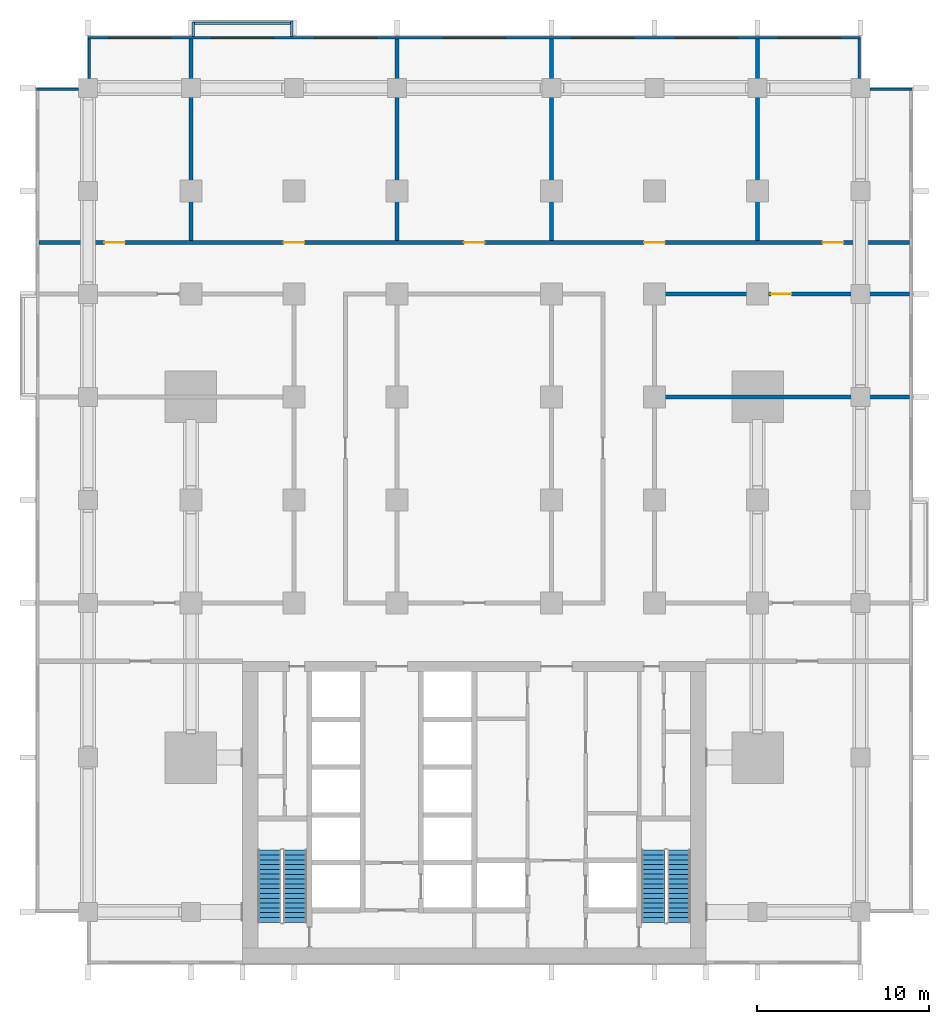
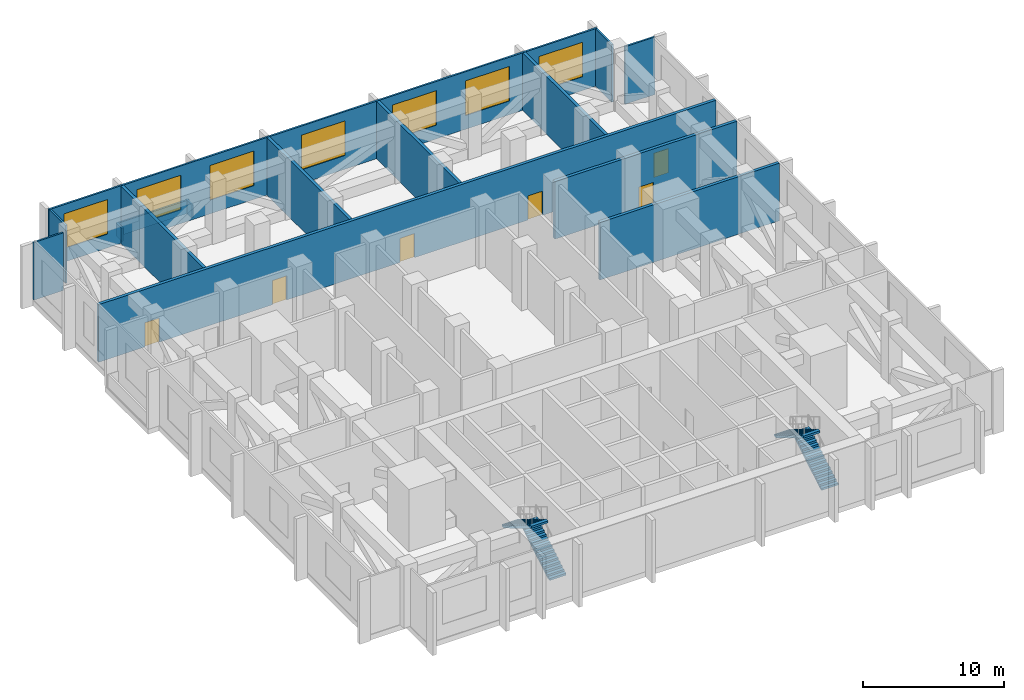
# One storey, part 5 of 13: 15 walls, 7 windows, 6 doors, 4 stair flights, 13 openings, 2 elements without a shape of their own.
"""IFC4 building model written with IfcOpenShell, lengths in metres."""

from ifc_helpers import new_model, si_unit, direction, frame, frame_2d, origin, place, context, subcontext, project, spatial, polyline, rectangle, outline, extrude, material, layer, layer_set, type_object, element, fill, aggregate, save


model = new_model("IFC4")

# Units and contexts
model_context = context("Model", 3, precision=1e-05, world=origin(), true_north=direction((0.0, 1.0)))
body_context = subcontext(model_context, "Body", "Model", "MODEL_VIEW")
ifc_project = project(units=[si_unit("LENGTHUNIT", "METRE"), si_unit("AREAUNIT", "SQUARE_METRE"), si_unit("VOLUMEUNIT", "CUBIC_METRE"), si_unit("PLANEANGLEUNIT", "RADIAN"), si_unit("MASSUNIT", "GRAM", prefix="KILO")], contexts=[model_context])

# Site, building, storey
site_placement = place(None, origin())
site = spatial("IfcSite", under=ifc_project, at=site_placement, CompositionType="ELEMENT")
building_placement = place(site_placement, origin())
building = spatial("IfcBuilding", under=site, at=building_placement, Name="Finial Court Residences", CompositionType="ELEMENT")
storey_placement = place(building_placement, frame((0.0, 0.0, 75.699951171875)))
storey = spatial("IfcBuildingStorey", under=building, at=storey_placement, Name="L18", CompositionType="ELEMENT", Elevation=75.699951171875)

# Walls
ifc_material_1 = material(Name="Concrete C35/45", Category="concrete")
ifc_layer_1 = layer(ifc_material_1, 0.14990234375)
ifc_layer_set_1 = layer_set([ifc_layer_1], Name="Ledge parapet, Concrete C35/45 150")
wall_type_1 = type_object("IfcWallType", Name="Ledge parapet, Concrete C35/45 150", PredefinedType="PARAPET", material=ifc_layer_set_1)
wall_1_placement = place(storey_placement, frame((-10.625, 29.39990234375, 0.0), z_axis=(0.0, 0.0, 1.0), x_axis=(0.0, -1.0, 0.0)))
element("IfcWall", 1, at=wall_1_placement, inside=storey, type_object=wall_type_1, Name="E-L18-LED3-P1", PredefinedType="PARAPET", context=body_context, shape_type="SweptSolid", body=[
    extrude(rectangle(XDim=0.889892578125, YDim=0.14990234375, at=frame_2d((0.44482421875, 0.0))), origin(), (0.0, 0.0, 1.0), 1.150146484375),
])
wall_2_placement = place(storey_placement, frame((-16.375, 28.510009765625, 0.0), z_axis=(0.0, 0.0, 1.0), x_axis=(0.0, 1.0, 0.0)))
element("IfcWall", 2, at=wall_2_placement, inside=storey, type_object=wall_type_1, Name="E-L18-LED3-P2", PredefinedType="PARAPET", context=body_context, shape_type="SweptSolid", body=[
    extrude(rectangle(XDim=0.840087890625, YDim=0.14990234375, at=frame_2d((0.419921875, 0.0))), origin(), (0.0, 0.0, 1.0), 1.150146484375),
])
wall_3_placement = place(storey_placement, frame((-16.300048828125, 29.27490234375, 0.0), z_axis=(0.0, 0.0, 1.0), x_axis=(1.0, 0.0, 0.0)))
element("IfcWall", 3, at=wall_3_placement, inside=storey, type_object=wall_type_1, Name="E-L18-LED3-P3", PredefinedType="PARAPET", context=body_context, shape_type="SweptSolid", body=[
    extrude(rectangle(XDim=5.800048828125, YDim=0.14990234375, at=frame_2d((2.89990234375, 0.0))), origin(), (0.0, 0.0, 1.0), 1.150146484375),
])
ifc_material_2 = material(Name="Fire-rated board")
ifc_layer_2 = layer(ifc_material_2, 0.050048828125)
ifc_material_3 = material(Name="Mineral wool in double frame")
ifc_layer_3 = layer(ifc_material_3, 0.14990234375)
ifc_layer_4 = layer(ifc_material_2, 0.050048828125)
ifc_layer_set_2 = layer_set([ifc_layer_2, ifc_layer_3, ifc_layer_4], Name="Plant room wall 250, 2 hour")
wall_type_2 = type_object("IfcWallType", Name="Plant room wall 250, 2 hour", PredefinedType="PARTITIONING", material=ifc_layer_set_2)
wall_4_placement = place(storey_placement, frame((10.625, 7.5, 0.0), z_axis=(0.0, 0.0, 1.0), x_axis=(1.0, 0.0, 0.0)))
element("IfcWall", 4, at=wall_4_placement, inside=storey, type_object=wall_type_2, Name="Partition L18-006", PredefinedType="PARTITIONING", context=body_context, shape_type="SweptSolid", body=[
    extrude(rectangle(XDim=14.72509765625, YDim=0.25, at=frame_2d((7.362548828125, 0.0))), origin(), (0.0, 0.0, 1.0), 5.0),
])

# Wall, opening, door
wall_5_placement = place(storey_placement, frame((10.375, 13.5, 0.0), z_axis=(0.0, 0.0, 1.0), x_axis=(1.0, 0.0, 0.0)))
wall_5 = element("IfcWall", 5, at=wall_5_placement, inside=storey, type_object=wall_type_2, Name="Partition L18-009", PredefinedType="PARTITIONING", context=body_context, shape_type="SweptSolid", body=[
    extrude(rectangle(XDim=14.97509765625, YDim=0.25, at=frame_2d((7.487548828125, 0.0))), origin(), (0.0, 0.0, 1.0), 5.0),
])
opening_1_placement = place(wall_5_placement, frame((6.89990234375, 0.0, 0.0)))
opening_1 = element("IfcOpeningElement", 6, at=opening_1_placement, cuts=wall_5, Name="Opening L18-D007", PredefinedType="OPENING", context=body_context, shape_type="SweptSolid", body=[
    extrude(rectangle(XDim=1.199951171875, YDim=2.10009765625, at=frame_2d((0.60009765625, 1.050048828125))), frame((0.0, 0.135009765625, 0.0), z_axis=(0.0, -1.0, 0.0), x_axis=(1.0, 0.0, 0.0)), (0.0, 0.0, 1.0), 0.27001953125),
])
ifc_material_4 = material(Name="Timber door leaf in hollow metal frame", Category="wood")
door_type = type_object("IfcDoorType", Name="Fire door set 1200 x 2100, 60 minutes", OperationType="SINGLE_SWING_LEFT", PredefinedType="DOOR", material=ifc_material_4)
door_1_placement = place(opening_1_placement, origin())
door_1 = element("IfcDoor", 7, at=door_1_placement, inside=storey, type_object=door_type, Name="Door L18-D007", OperationType="SINGLE_SWING_LEFT", OverallHeight=2.10009765625, OverallWidth=1.199951171875, PredefinedType="DOOR", context=body_context, shape_type="SweptSolid", body=[
    extrude(rectangle(XDim=1.199951171875, YDim=2.10009765625, at=frame_2d((0.60009765625, 1.050048828125))), frame((0.0, 0.02490234375, 0.0), z_axis=(0.0, -1.0, 0.0), x_axis=(1.0, 0.0, 0.0)), (0.0, 0.0, 1.0), 0.050048828125),
])
fill(opening_1, door_1)

# Wall, openings, doors
wall_6_placement = place(storey_placement, frame((-25.35009765625, 16.5, 0.0), z_axis=(0.0, 0.0, 1.0), x_axis=(1.0, 0.0, 0.0)))
wall_6 = element("IfcWall", 8, at=wall_6_placement, inside=storey, type_object=wall_type_2, Name="Partition L18-010", PredefinedType="PARTITIONING", context=body_context, shape_type="SweptSolid", body=[
    extrude(rectangle(XDim=50.7001953125, YDim=0.25, at=frame_2d((25.35009765625, 0.0))), origin(), (0.0, 0.0, 1.0), 5.0),
])
opening_2_placement = place(wall_6_placement, frame((3.800048828125, 0.0, 0.0)))
opening_2 = element("IfcOpeningElement", 9, at=opening_2_placement, cuts=wall_6, Name="Opening L18-D008", PredefinedType="OPENING", context=body_context, shape_type="SweptSolid", body=[
    extrude(rectangle(XDim=1.199951171875, YDim=2.10009765625, at=frame_2d((0.60009765625, 1.050048828125))), frame((0.0, 0.135009765625, 0.0), z_axis=(0.0, -1.0, 0.0), x_axis=(1.0, 0.0, 0.0)), (0.0, 0.0, 1.0), 0.27001953125),
])
opening_3_placement = place(wall_6_placement, frame((14.25, 0.0, 0.0)))
opening_3 = element("IfcOpeningElement", 10, at=opening_3_placement, cuts=wall_6, Name="Opening L18-D009", PredefinedType="OPENING", context=body_context, shape_type="SweptSolid", body=[
    extrude(rectangle(XDim=1.199951171875, YDim=2.10009765625, at=frame_2d((0.60009765625, 1.050048828125))), frame((0.0, 0.135009765625, 0.0), z_axis=(0.0, -1.0, 0.0), x_axis=(1.0, 0.0, 0.0)), (0.0, 0.0, 1.0), 0.27001953125),
])
opening_4_placement = place(wall_6_placement, frame((24.75, 0.0, 0.0)))
opening_4 = element("IfcOpeningElement", 11, at=opening_4_placement, cuts=wall_6, Name="Opening L18-D010", PredefinedType="OPENING", context=body_context, shape_type="SweptSolid", body=[
    extrude(rectangle(XDim=1.199951171875, YDim=2.10009765625, at=frame_2d((0.60009765625, 1.050048828125))), frame((0.0, 0.135009765625, 0.0), z_axis=(0.0, -1.0, 0.0), x_axis=(1.0, 0.0, 0.0)), (0.0, 0.0, 1.0), 0.27001953125),
])
opening_5_placement = place(wall_6_placement, frame((35.25, 0.0, 0.0)))
opening_5 = element("IfcOpeningElement", 12, at=opening_5_placement, cuts=wall_6, Name="Opening L18-D011", PredefinedType="OPENING", context=body_context, shape_type="SweptSolid", body=[
    extrude(rectangle(XDim=1.199951171875, YDim=2.10009765625, at=frame_2d((0.60009765625, 1.050048828125))), frame((0.0, 0.135009765625, 0.0), z_axis=(0.0, -1.0, 0.0), x_axis=(1.0, 0.0, 0.0)), (0.0, 0.0, 1.0), 0.27001953125),
])
opening_6_placement = place(wall_6_placement, frame((45.64990234375, 0.0, 0.0)))
opening_6 = element("IfcOpeningElement", 13, at=opening_6_placement, cuts=wall_6, Name="Opening L18-D012", PredefinedType="OPENING", context=body_context, shape_type="SweptSolid", body=[
    extrude(rectangle(XDim=1.199951171875, YDim=2.10009765625, at=frame_2d((0.60009765625, 1.050048828125))), frame((0.0, 0.135009765625, 0.0), z_axis=(0.0, -1.0, 0.0), x_axis=(1.0, 0.0, 0.0)), (0.0, 0.0, 1.0), 0.27001953125),
])
door_2_placement = place(opening_2_placement, origin())
door_2 = element("IfcDoor", 14, at=door_2_placement, inside=storey, type_object=door_type, Name="Door L18-D008", OperationType="SINGLE_SWING_LEFT", OverallHeight=2.10009765625, OverallWidth=1.199951171875, PredefinedType="DOOR", context=body_context, shape_type="SweptSolid", body=[
    extrude(rectangle(XDim=1.199951171875, YDim=2.10009765625, at=frame_2d((0.60009765625, 1.050048828125))), frame((0.0, 0.02490234375, 0.0), z_axis=(0.0, -1.0, 0.0), x_axis=(1.0, 0.0, 0.0)), (0.0, 0.0, 1.0), 0.050048828125),
])
fill(opening_2, door_2)
door_3_placement = place(opening_3_placement, origin())
door_3 = element("IfcDoor", 15, at=door_3_placement, inside=storey, type_object=door_type, Name="Door L18-D009", OperationType="SINGLE_SWING_RIGHT", OverallHeight=2.10009765625, OverallWidth=1.199951171875, PredefinedType="DOOR", context=body_context, shape_type="SweptSolid", body=[
    extrude(rectangle(XDim=1.199951171875, YDim=2.10009765625, at=frame_2d((0.60009765625, 1.050048828125))), frame((0.0, 0.02490234375, 0.0), z_axis=(0.0, -1.0, 0.0), x_axis=(1.0, 0.0, 0.0)), (0.0, 0.0, 1.0), 0.050048828125),
])
fill(opening_3, door_3)
door_4_placement = place(opening_4_placement, origin())
door_4 = element("IfcDoor", 16, at=door_4_placement, inside=storey, type_object=door_type, Name="Door L18-D010", OperationType="SINGLE_SWING_LEFT", OverallHeight=2.10009765625, OverallWidth=1.199951171875, PredefinedType="DOOR", context=body_context, shape_type="SweptSolid", body=[
    extrude(rectangle(XDim=1.199951171875, YDim=2.10009765625, at=frame_2d((0.60009765625, 1.050048828125))), frame((0.0, 0.02490234375, 0.0), z_axis=(0.0, -1.0, 0.0), x_axis=(1.0, 0.0, 0.0)), (0.0, 0.0, 1.0), 0.050048828125),
])
fill(opening_4, door_4)
door_5_placement = place(opening_5_placement, origin())
door_5 = element("IfcDoor", 17, at=door_5_placement, inside=storey, type_object=door_type, Name="Door L18-D011", OperationType="SINGLE_SWING_LEFT", OverallHeight=2.10009765625, OverallWidth=1.199951171875, PredefinedType="DOOR", context=body_context, shape_type="SweptSolid", body=[
    extrude(rectangle(XDim=1.199951171875, YDim=2.10009765625, at=frame_2d((0.60009765625, 1.050048828125))), frame((0.0, 0.02490234375, 0.0), z_axis=(0.0, -1.0, 0.0), x_axis=(1.0, 0.0, 0.0)), (0.0, 0.0, 1.0), 0.050048828125),
])
fill(opening_5, door_5)
door_6_placement = place(opening_6_placement, origin())
door_6 = element("IfcDoor", 18, at=door_6_placement, inside=storey, type_object=door_type, Name="Door L18-D012", OperationType="SINGLE_SWING_RIGHT", OverallHeight=2.10009765625, OverallWidth=1.199951171875, PredefinedType="DOOR", context=body_context, shape_type="SweptSolid", body=[
    extrude(rectangle(XDim=1.199951171875, YDim=2.10009765625, at=frame_2d((0.60009765625, 1.050048828125))), frame((0.0, 0.02490234375, 0.0), z_axis=(0.0, -1.0, 0.0), x_axis=(1.0, 0.0, 0.0)), (0.0, 0.0, 1.0), 0.050048828125),
])
fill(opening_6, door_6)

# Walls
for number, where, z_axis, x_axis, name in (
    (19, (-16.5, 16.625, 0.0), (0.0, 0.0, 1.0), (0.0, 1.0, 0.0), "Partition L18-011"),
    (20, (-4.5, 16.625, 0.0), (0.0, 0.0, 1.0), (0.0, 1.0, 0.0), "Partition L18-015"),
    (21, (4.5, 16.625, 0.0), (0.0, 0.0, 1.0), (0.0, 1.0, 0.0), "Partition L18-017"),
    (22, (16.5, 16.625, 0.0), (0.0, 0.0, 1.0), (0.0, 1.0, 0.0), "Partition L18-020"),
):
    element("IfcWall", number, at=place(storey_placement, frame(where, z_axis=z_axis, x_axis=x_axis)), inside=storey, type_object=wall_type_2, Name=name, PredefinedType="PARTITIONING", context=body_context, shape_type="SweptSolid", body=[
        extrude(rectangle(XDim=11.72509765625, YDim=0.25, at=frame_2d((5.862548828125, 0.0))), origin(), (0.0, 0.0, 1.0), 5.0),
    ])

# Wall, openings, windows
ifc_material_5 = material(Name="Natural limestone", Category="masonry")
ifc_layer_5 = layer(ifc_material_5, 0.14990234375)
ifc_layer_set_3 = layer_set([ifc_layer_5], Name="Plant storey wall, limestone clad 150")
wall_type_3 = type_object("IfcWallType", Name="Plant storey wall, limestone clad 150", PredefinedType="SOLIDWALL", material=ifc_layer_set_3)
wall_7_placement = place(storey_placement, frame((-22.5, 28.425048828125, 0.0), z_axis=(0.0, 0.0, 1.0), x_axis=(1.0, 0.0, 0.0)))
wall_7 = element("IfcWall", 23, at=wall_7_placement, inside=storey, type_object=wall_type_3, Name="E-L18-PWN1", PredefinedType="SOLIDWALL", context=body_context, shape_type="SweptSolid", body=[
    extrude(rectangle(XDim=45.0, YDim=0.14990234375, at=frame_2d((22.5, 0.0))), origin(), (0.0, 0.0, 1.0), 5.0),
])
opening_7_placement = place(wall_7_placement, frame((1.199951171875, 0.0, 1.199951171875)))
opening_7 = element("IfcOpeningElement", 24, at=opening_7_placement, cuts=wall_7, Name="Opening WE18-01", PredefinedType="OPENING", context=body_context, shape_type="SweptSolid", body=[
    extrude(rectangle(XDim=3.60009765625, YDim=3.0, at=frame_2d((1.800048828125, 1.5))), frame((0.0, 0.0849609375, 0.0), z_axis=(0.0, -1.0, 0.0), x_axis=(1.0, 0.0, 0.0)), (0.0, 0.0, 1.0), 0.169921875),
])
opening_8_placement = place(wall_7_placement, frame((7.199951171875, 0.0, 1.199951171875)))
opening_8 = element("IfcOpeningElement", 25, at=opening_8_placement, cuts=wall_7, Name="Opening WE18-02", PredefinedType="OPENING", context=body_context, shape_type="SweptSolid", body=[
    extrude(rectangle(XDim=3.60009765625, YDim=3.0, at=frame_2d((1.800048828125, 1.5))), frame((0.0, 0.0849609375, 0.0), z_axis=(0.0, -1.0, 0.0), x_axis=(1.0, 0.0, 0.0)), (0.0, 0.0, 1.0), 0.169921875),
])
opening_9_placement = place(wall_7_placement, frame((13.199951171875, 0.0, 1.199951171875)))
opening_9 = element("IfcOpeningElement", 26, at=opening_9_placement, cuts=wall_7, Name="Opening WE18-03", PredefinedType="OPENING", context=body_context, shape_type="SweptSolid", body=[
    extrude(rectangle(XDim=3.60009765625, YDim=3.0, at=frame_2d((1.800048828125, 1.5))), frame((0.0, 0.0849609375, 0.0), z_axis=(0.0, -1.0, 0.0), x_axis=(1.0, 0.0, 0.0)), (0.0, 0.0, 1.0), 0.169921875),
])
opening_10_placement = place(wall_7_placement, frame((20.699951171875, 0.0, 1.199951171875)))
opening_10 = element("IfcOpeningElement", 27, at=opening_10_placement, cuts=wall_7, Name="Opening WE18-04", PredefinedType="OPENING", context=body_context, shape_type="SweptSolid", body=[
    extrude(rectangle(XDim=3.60009765625, YDim=3.0, at=frame_2d((1.800048828125, 1.5))), frame((0.0, 0.0849609375, 0.0), z_axis=(0.0, -1.0, 0.0), x_axis=(1.0, 0.0, 0.0)), (0.0, 0.0, 1.0), 0.169921875),
])
opening_11_placement = place(wall_7_placement, frame((28.199951171875, 0.0, 1.199951171875)))
opening_11 = element("IfcOpeningElement", 28, at=opening_11_placement, cuts=wall_7, Name="Opening WE18-05", PredefinedType="OPENING", context=body_context, shape_type="SweptSolid", body=[
    extrude(rectangle(XDim=3.60009765625, YDim=3.0, at=frame_2d((1.800048828125, 1.5))), frame((0.0, 0.0849609375, 0.0), z_axis=(0.0, -1.0, 0.0), x_axis=(1.0, 0.0, 0.0)), (0.0, 0.0, 1.0), 0.169921875),
])
opening_12_placement = place(wall_7_placement, frame((34.199951171875, 0.0, 1.199951171875)))
opening_12 = element("IfcOpeningElement", 29, at=opening_12_placement, cuts=wall_7, Name="Opening WE18-06", PredefinedType="OPENING", context=body_context, shape_type="SweptSolid", body=[
    extrude(rectangle(XDim=3.60009765625, YDim=3.0, at=frame_2d((1.800048828125, 1.5))), frame((0.0, 0.0849609375, 0.0), z_axis=(0.0, -1.0, 0.0), x_axis=(1.0, 0.0, 0.0)), (0.0, 0.0, 1.0), 0.169921875),
])
opening_13_placement = place(wall_7_placement, frame((40.199951171875, 0.0, 1.199951171875)))
opening_13 = element("IfcOpeningElement", 30, at=opening_13_placement, cuts=wall_7, Name="Opening WE18-07", PredefinedType="OPENING", context=body_context, shape_type="SweptSolid", body=[
    extrude(rectangle(XDim=3.60009765625, YDim=3.0, at=frame_2d((1.800048828125, 1.5))), frame((0.0, 0.0849609375, 0.0), z_axis=(0.0, -1.0, 0.0), x_axis=(1.0, 0.0, 0.0)), (0.0, 0.0, 1.0), 0.169921875),
])
ifc_material_6 = material(Name="Bronze anodised aluminium", Category="aluminium")
window_type = type_object("IfcWindowType", Name="Plant louvre 3600 x 3000", PartitioningType="SINGLE_PANEL", PredefinedType="WINDOW", material=ifc_material_6)
window_1_placement = place(opening_7_placement, origin())
window_1 = element("IfcWindow", 31, at=window_1_placement, inside=storey, type_object=window_type, Name="E-L18-PWN1-W1", OverallHeight=3.0, OverallWidth=3.60009765625, PartitioningType="SINGLE_PANEL", PredefinedType="WINDOW", context=body_context, shape_type="SweptSolid", body=[
    extrude(rectangle(XDim=3.60009765625, YDim=3.0, at=frame_2d((1.800048828125, 1.5))), frame((0.0, 0.030029296875, 0.0), z_axis=(0.0, -1.0, 0.0), x_axis=(1.0, 0.0, 0.0)), (0.0, 0.0, 1.0), 0.06005859375),
])
fill(opening_7, window_1)
window_2_placement = place(opening_8_placement, origin())
window_2 = element("IfcWindow", 32, at=window_2_placement, inside=storey, type_object=window_type, Name="E-L18-PWN1-W2", OverallHeight=3.0, OverallWidth=3.60009765625, PartitioningType="SINGLE_PANEL", PredefinedType="WINDOW", context=body_context, shape_type="SweptSolid", body=[
    extrude(rectangle(XDim=3.60009765625, YDim=3.0, at=frame_2d((1.800048828125, 1.5))), frame((0.0, 0.030029296875, 0.0), z_axis=(0.0, -1.0, 0.0), x_axis=(1.0, 0.0, 0.0)), (0.0, 0.0, 1.0), 0.06005859375),
])
fill(opening_8, window_2)
window_3_placement = place(opening_9_placement, origin())
window_3 = element("IfcWindow", 33, at=window_3_placement, inside=storey, type_object=window_type, Name="E-L18-PWN1-W3", OverallHeight=3.0, OverallWidth=3.60009765625, PartitioningType="SINGLE_PANEL", PredefinedType="WINDOW", context=body_context, shape_type="SweptSolid", body=[
    extrude(rectangle(XDim=3.60009765625, YDim=3.0, at=frame_2d((1.800048828125, 1.5))), frame((0.0, 0.030029296875, 0.0), z_axis=(0.0, -1.0, 0.0), x_axis=(1.0, 0.0, 0.0)), (0.0, 0.0, 1.0), 0.06005859375),
])
fill(opening_9, window_3)
window_4_placement = place(opening_10_placement, origin())
window_4 = element("IfcWindow", 34, at=window_4_placement, inside=storey, type_object=window_type, Name="E-L18-PWN1-W4", OverallHeight=3.0, OverallWidth=3.60009765625, PartitioningType="SINGLE_PANEL", PredefinedType="WINDOW", context=body_context, shape_type="SweptSolid", body=[
    extrude(rectangle(XDim=3.60009765625, YDim=3.0, at=frame_2d((1.800048828125, 1.5))), frame((0.0, 0.030029296875, 0.0), z_axis=(0.0, -1.0, 0.0), x_axis=(1.0, 0.0, 0.0)), (0.0, 0.0, 1.0), 0.06005859375),
])
fill(opening_10, window_4)
window_5_placement = place(opening_11_placement, origin())
window_5 = element("IfcWindow", 35, at=window_5_placement, inside=storey, type_object=window_type, Name="E-L18-PWN1-W5", OverallHeight=3.0, OverallWidth=3.60009765625, PartitioningType="SINGLE_PANEL", PredefinedType="WINDOW", context=body_context, shape_type="SweptSolid", body=[
    extrude(rectangle(XDim=3.60009765625, YDim=3.0, at=frame_2d((1.800048828125, 1.5))), frame((0.0, 0.030029296875, 0.0), z_axis=(0.0, -1.0, 0.0), x_axis=(1.0, 0.0, 0.0)), (0.0, 0.0, 1.0), 0.06005859375),
])
fill(opening_11, window_5)
window_6_placement = place(opening_12_placement, origin())
window_6 = element("IfcWindow", 36, at=window_6_placement, inside=storey, type_object=window_type, Name="E-L18-PWN1-W6", OverallHeight=3.0, OverallWidth=3.60009765625, PartitioningType="SINGLE_PANEL", PredefinedType="WINDOW", context=body_context, shape_type="SweptSolid", body=[
    extrude(rectangle(XDim=3.60009765625, YDim=3.0, at=frame_2d((1.800048828125, 1.5))), frame((0.0, 0.030029296875, 0.0), z_axis=(0.0, -1.0, 0.0), x_axis=(1.0, 0.0, 0.0)), (0.0, 0.0, 1.0), 0.06005859375),
])
fill(opening_12, window_6)
window_7_placement = place(opening_13_placement, origin())
window_7 = element("IfcWindow", 37, at=window_7_placement, inside=storey, type_object=window_type, Name="E-L18-PWN1-W7", OverallHeight=3.0, OverallWidth=3.60009765625, PartitioningType="SINGLE_PANEL", PredefinedType="WINDOW", context=body_context, shape_type="SweptSolid", body=[
    extrude(rectangle(XDim=3.60009765625, YDim=3.0, at=frame_2d((1.800048828125, 1.5))), frame((0.0, 0.030029296875, 0.0), z_axis=(0.0, -1.0, 0.0), x_axis=(1.0, 0.0, 0.0)), (0.0, 0.0, 1.0), 0.06005859375),
])
fill(opening_13, window_7)

# Walls
wall_8_placement = place(storey_placement, frame((-22.425048828125, 26.050048828125, 0.0), z_axis=(0.0, 0.0, 1.0), x_axis=(0.0, 1.0, 0.0)))
element("IfcWall", 38, at=wall_8_placement, inside=storey, type_object=wall_type_3, Name="E-L18-PWW10", PredefinedType="SOLIDWALL", context=body_context, shape_type="SweptSolid", body=[
    extrude(rectangle(XDim=2.300048828125, YDim=0.14990234375, at=frame_2d((1.14990234375, 0.0))), origin(), (0.0, 0.0, 1.0), 5.0),
])
wall_9_placement = place(storey_placement, frame((-25.5, 25.425048828125, 0.0), z_axis=(0.0, 0.0, 1.0), x_axis=(1.0, 0.0, 0.0)))
element("IfcWall", 39, at=wall_9_placement, inside=storey, type_object=wall_type_3, Name="E-L18-PWN11", PredefinedType="SOLIDWALL", context=body_context, shape_type="SweptSolid", body=[
    extrude(rectangle(XDim=2.449951171875, YDim=0.14990234375, at=frame_2d((1.22509765625, 0.0))), origin(), (0.0, 0.0, 1.0), 5.0),
])
wall_10_placement = place(storey_placement, frame((22.425048828125, 28.35009765625, 0.0), z_axis=(0.0, 0.0, 1.0), x_axis=(0.0, -1.0, 0.0)))
element("IfcWall", 40, at=wall_10_placement, inside=storey, type_object=wall_type_3, Name="E-L18-PWE12", PredefinedType="SOLIDWALL", context=body_context, shape_type="SweptSolid", body=[
    extrude(rectangle(XDim=2.300048828125, YDim=0.14990234375, at=frame_2d((1.14990234375, 0.0))), origin(), (0.0, 0.0, 1.0), 5.0),
])
wall_11_placement = place(storey_placement, frame((23.050048828125, 25.425048828125, 0.0), z_axis=(0.0, 0.0, 1.0), x_axis=(1.0, 0.0, 0.0)))
element("IfcWall", 41, at=wall_11_placement, inside=storey, type_object=wall_type_3, Name="E-L18-PWN13", PredefinedType="SOLIDWALL", context=body_context, shape_type="SweptSolid", body=[
    extrude(rectangle(XDim=2.449951171875, YDim=0.14990234375, at=frame_2d((1.22509765625, 0.0))), origin(), (0.0, 0.0, 1.0), 5.0),
])

# Stair, stair flights
ifc_material_7 = material(Name="Concrete C50/60", Category="concrete")
stair_type = type_object("IfcStairType", Name="Exit stair 32 risers of 168.8 mm", PredefinedType="HALF_TURN_STAIR", material=ifc_material_7)
stair_1_placement = place(storey_placement, origin())
stair_1 = element("IfcStair", 42, at=stair_1_placement, inside=storey, type_object=stair_type, Name="L18 Exit stair ST-1", PredefinedType="HALF_TURN_STAIR")
stair_flight_type = type_object("IfcStairFlightType", Name="Exit stair flight", PredefinedType="STRAIGHT", material=ifc_material_7)
stair_flight_1_placement = place(storey_placement, frame((-10.425048828125, -23.10009765625, 0.0), z_axis=(0.0, 0.0, 1.0), x_axis=(0.0, 1.0, 0.0)))
stair_flight_1 = element("IfcStairFlight", 43, at=stair_flight_1_placement, type_object=stair_flight_type, Name="ST-1 flight 1", NumberOfRisers=16, NumberOfTreads=15, PredefinedType="STRAIGHT", RiserHeight=0.16875, TreadLength=0.28, context=body_context, shape_type="SweptSolid", body=[
    extrude(outline(polyline([(0.0, 0.0), (0.0, 0.168701171875), (0.280029296875, 0.168701171875), (0.280029296875, 0.33740234375), (0.56005859375, 0.33740234375), (0.56005859375, 0.50634765625), (0.840087890625, 0.50634765625), (0.840087890625, 0.675048828125), (1.1201171875, 0.675048828125), (1.1201171875, 0.84375), (1.39990234375, 0.84375), (1.39990234375, 1.012451171875), (1.679931640625, 1.012451171875), (1.679931640625, 1.18115234375), (1.9599609375, 1.18115234375), (1.9599609375, 1.35009765625), (2.239990234375, 1.35009765625), (2.239990234375, 1.518798828125), (2.52001953125, 1.518798828125), (2.52001953125, 1.6875), (2.800048828125, 1.6875), (2.800048828125, 1.856201171875), (3.080078125, 1.856201171875), (3.080078125, 2.02490234375), (3.360107421875, 2.02490234375), (3.360107421875, 2.19384765625), (3.639892578125, 2.19384765625), (3.639892578125, 2.362548828125), (3.919921875, 2.362548828125), (3.919921875, 2.53125), (4.199951171875, 2.53125), (4.199951171875, 2.699951171875), (4.199951171875, 2.356201171875), (0.29052734375, 0.0), (0.0, 0.0)])), frame((0.0, 0.675048828125, 0.0), z_axis=(0.0, -1.0, 0.0), x_axis=(1.0, 0.0, 0.0)), (0.0, 0.0, 1.0), 1.35009765625),
])
stair_flight_2_placement = place(storey_placement, frame((-11.925048828125, -18.89990234375, 2.699951171875), z_axis=(0.0, 0.0, 1.0), x_axis=(0.0, -1.0, 0.0)))
stair_flight_2 = element("IfcStairFlight", 44, at=stair_flight_2_placement, type_object=stair_flight_type, Name="ST-1 flight 2", NumberOfRisers=16, NumberOfTreads=15, PredefinedType="STRAIGHT", RiserHeight=0.16875, TreadLength=0.28, context=body_context, shape_type="SweptSolid", body=[
    extrude(outline(polyline([(0.0, 0.0), (0.0, 0.168701171875), (0.280029296875, 0.168701171875), (0.280029296875, 0.33740234375), (0.56005859375, 0.33740234375), (0.56005859375, 0.50634765625), (0.840087890625, 0.50634765625), (0.840087890625, 0.675048828125), (1.1201171875, 0.675048828125), (1.1201171875, 0.84375), (1.39990234375, 0.84375), (1.39990234375, 1.012451171875), (1.679931640625, 1.012451171875), (1.679931640625, 1.18115234375), (1.9599609375, 1.18115234375), (1.9599609375, 1.35009765625), (2.239990234375, 1.35009765625), (2.239990234375, 1.518798828125), (2.52001953125, 1.518798828125), (2.52001953125, 1.6875), (2.800048828125, 1.6875), (2.800048828125, 1.856201171875), (3.080078125, 1.856201171875), (3.080078125, 2.02490234375), (3.360107421875, 2.02490234375), (3.360107421875, 2.19384765625), (3.639892578125, 2.19384765625), (3.639892578125, 2.362548828125), (3.919921875, 2.362548828125), (3.919921875, 2.53125), (4.199951171875, 2.53125), (4.199951171875, 2.699951171875), (4.199951171875, 2.356201171875), (0.29052734375, 0.0), (0.0, 0.0)])), frame((0.0, 0.675048828125, 0.0), z_axis=(0.0, -1.0, 0.0), x_axis=(1.0, 0.0, 0.0)), (0.0, 0.0, 1.0), 1.35009765625),
])
aggregate(stair_1, [stair_flight_1, stair_flight_2])

stair_2_placement = place(storey_placement, origin())
stair_2 = element("IfcStair", 45, at=stair_2_placement, inside=storey, type_object=stair_type, Name="L18 Exit stair ST-2", PredefinedType="HALF_TURN_STAIR")
stair_flight_3_placement = place(storey_placement, frame((11.925048828125, -23.10009765625, 0.0), z_axis=(0.0, 0.0, 1.0), x_axis=(0.0, 1.0, 0.0)))
stair_flight_3 = element("IfcStairFlight", 46, at=stair_flight_3_placement, type_object=stair_flight_type, Name="ST-2 flight 1", NumberOfRisers=16, NumberOfTreads=15, PredefinedType="STRAIGHT", RiserHeight=0.16875, TreadLength=0.28, context=body_context, shape_type="SweptSolid", body=[
    extrude(outline(polyline([(0.0, 0.0), (0.0, 0.168701171875), (0.280029296875, 0.168701171875), (0.280029296875, 0.33740234375), (0.56005859375, 0.33740234375), (0.56005859375, 0.50634765625), (0.840087890625, 0.50634765625), (0.840087890625, 0.675048828125), (1.1201171875, 0.675048828125), (1.1201171875, 0.84375), (1.39990234375, 0.84375), (1.39990234375, 1.012451171875), (1.679931640625, 1.012451171875), (1.679931640625, 1.18115234375), (1.9599609375, 1.18115234375), (1.9599609375, 1.35009765625), (2.239990234375, 1.35009765625), (2.239990234375, 1.518798828125), (2.52001953125, 1.518798828125), (2.52001953125, 1.6875), (2.800048828125, 1.6875), (2.800048828125, 1.856201171875), (3.080078125, 1.856201171875), (3.080078125, 2.02490234375), (3.360107421875, 2.02490234375), (3.360107421875, 2.19384765625), (3.639892578125, 2.19384765625), (3.639892578125, 2.362548828125), (3.919921875, 2.362548828125), (3.919921875, 2.53125), (4.199951171875, 2.53125), (4.199951171875, 2.699951171875), (4.199951171875, 2.356201171875), (0.29052734375, 0.0), (0.0, 0.0)])), frame((0.0, 0.675048828125, 0.0), z_axis=(0.0, -1.0, 0.0), x_axis=(1.0, 0.0, 0.0)), (0.0, 0.0, 1.0), 1.35009765625),
])
stair_flight_4_placement = place(storey_placement, frame((10.425048828125, -18.89990234375, 2.699951171875), z_axis=(0.0, 0.0, 1.0), x_axis=(0.0, -1.0, 0.0)))
stair_flight_4 = element("IfcStairFlight", 47, at=stair_flight_4_placement, type_object=stair_flight_type, Name="ST-2 flight 2", NumberOfRisers=16, NumberOfTreads=15, PredefinedType="STRAIGHT", RiserHeight=0.16875, TreadLength=0.28, context=body_context, shape_type="SweptSolid", body=[
    extrude(outline(polyline([(0.0, 0.0), (0.0, 0.168701171875), (0.280029296875, 0.168701171875), (0.280029296875, 0.33740234375), (0.56005859375, 0.33740234375), (0.56005859375, 0.50634765625), (0.840087890625, 0.50634765625), (0.840087890625, 0.675048828125), (1.1201171875, 0.675048828125), (1.1201171875, 0.84375), (1.39990234375, 0.84375), (1.39990234375, 1.012451171875), (1.679931640625, 1.012451171875), (1.679931640625, 1.18115234375), (1.9599609375, 1.18115234375), (1.9599609375, 1.35009765625), (2.239990234375, 1.35009765625), (2.239990234375, 1.518798828125), (2.52001953125, 1.518798828125), (2.52001953125, 1.6875), (2.800048828125, 1.6875), (2.800048828125, 1.856201171875), (3.080078125, 1.856201171875), (3.080078125, 2.02490234375), (3.360107421875, 2.02490234375), (3.360107421875, 2.19384765625), (3.639892578125, 2.19384765625), (3.639892578125, 2.362548828125), (3.919921875, 2.362548828125), (3.919921875, 2.53125), (4.199951171875, 2.53125), (4.199951171875, 2.699951171875), (4.199951171875, 2.356201171875), (0.29052734375, 0.0), (0.0, 0.0)])), frame((0.0, 0.675048828125, 0.0), z_axis=(0.0, -1.0, 0.0), x_axis=(1.0, 0.0, 0.0)), (0.0, 0.0, 1.0), 1.35009765625),
])
aggregate(stair_2, [stair_flight_3, stair_flight_4])

save(model, "model.ifc")
